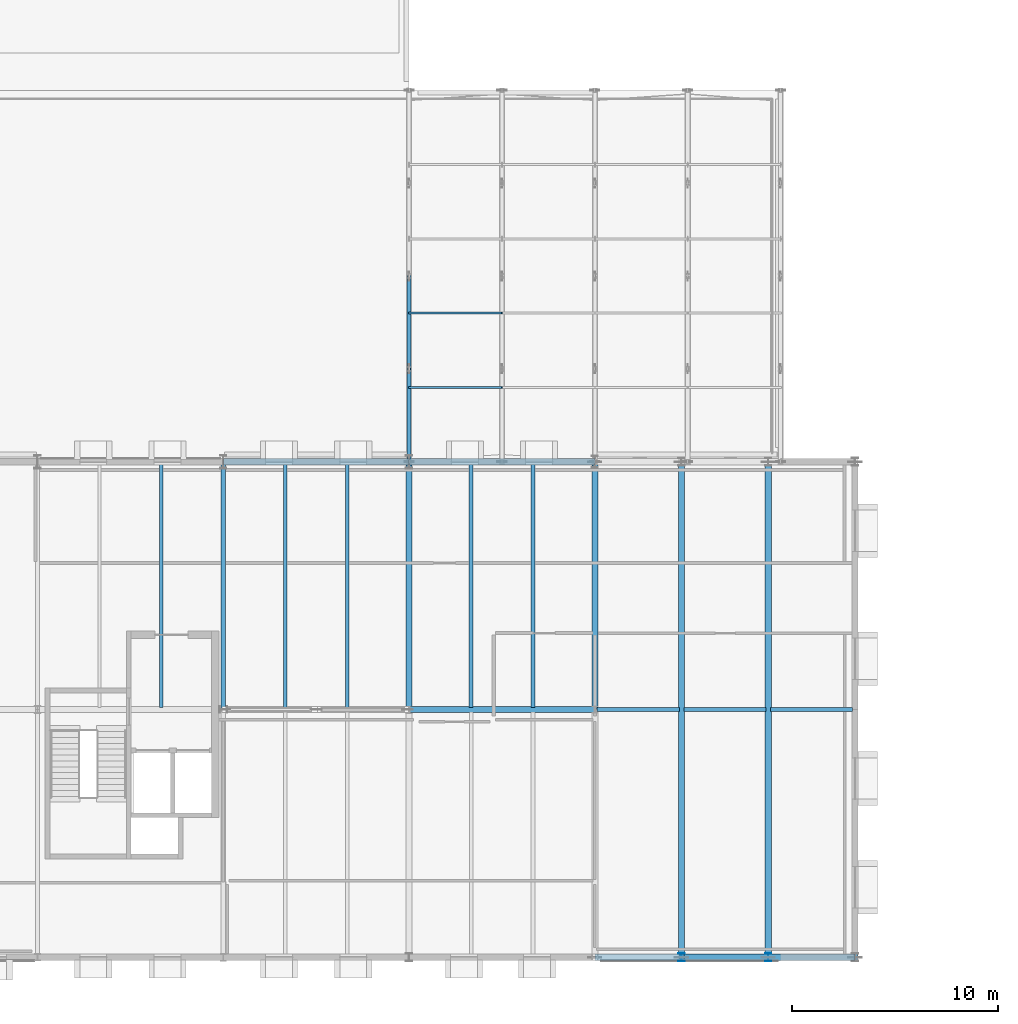
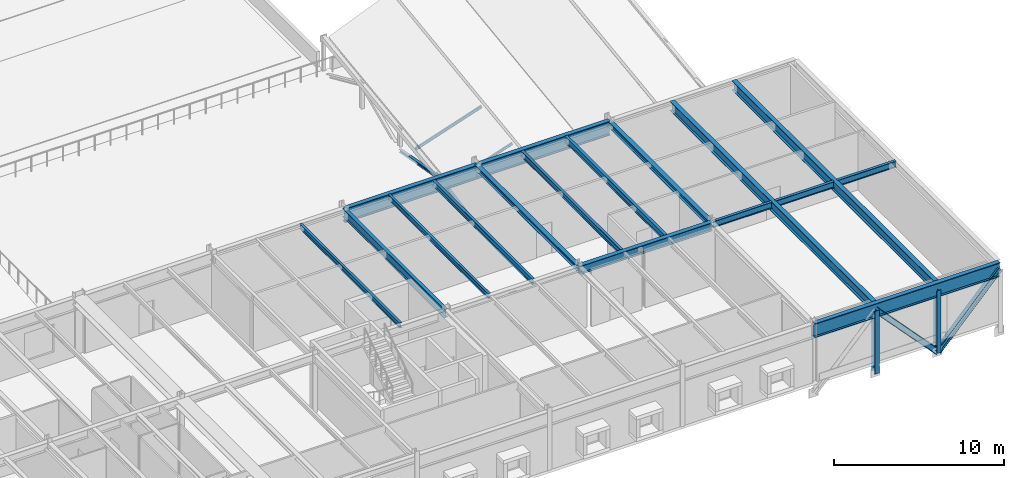
# One storey, part 46 of 142: 17 beams, 8 members.
"""IFC4 building model written with IfcOpenShell, lengths in metres."""

from ifc_helpers import new_model, si_unit, direction, frame, origin, origin_2d, place, context, subcontext, project, spatial, i_section, extrude, material, material_profile, profile_set, type_object, element, save


model = new_model("IFC4")

# Units and contexts
model_context = context("Model", 3, precision=1e-05, world=origin(), true_north=direction((0.0, 1.0)))
body_context = subcontext(model_context, "Body", "Model", "MODEL_VIEW")
ifc_project = project(units=[si_unit("LENGTHUNIT", "METRE"), si_unit("AREAUNIT", "SQUARE_METRE"), si_unit("VOLUMEUNIT", "CUBIC_METRE"), si_unit("PLANEANGLEUNIT", "RADIAN"), si_unit("MASSUNIT", "GRAM", prefix="KILO")], contexts=[model_context])

# Site, building, storey
site_placement = place(None, origin())
site = spatial("IfcSite", under=ifc_project, at=site_placement, CompositionType="ELEMENT")
building_placement = place(site_placement, origin())
building = spatial("IfcBuilding", under=site, at=building_placement, Name="Montelvaro Courts of Justice", CompositionType="ELEMENT")
storey_placement = place(building_placement, frame((0.0, 0.0, 14.39990234375)))
storey = spatial("IfcBuildingStorey", under=building, at=storey_placement, Name="L03", CompositionType="ELEMENT", Elevation=14.39990234375)

# Beams
ifc_material = material(Name="Steel S355", Category="steel")
ifc_material_profile_1 = material_profile(ifc_material, i_section(OverallWidth=0.300048828125, OverallDepth=0.35009765625, WebThickness=0.010009765625, FlangeThickness=0.017578125, at=origin_2d()), Name="HEA 360")
ifc_profile_set_1 = profile_set([ifc_material_profile_1], Name="Steel S355")
beam_type_1 = type_object("IfcBeamType", Name="Beam_HEA360", PredefinedType="USERDEFINED", material=ifc_profile_set_1)
beam_1_placement = place(storey_placement, frame((126.0, 12.0, 4.005126953125), z_axis=(0.0, 1.0, 0.0), x_axis=(-1.0, 0.0, 0.0)))
element("IfcBeam", 1, at=beam_1_placement, inside=storey, type_object=beam_type_1, Name="Beam B-16 L03", ObjectType="GIRDER", PredefinedType="USERDEFINED", context=body_context, shape_type="SweptSolid", body=[
    extrude(i_section(OverallWidth=0.300048828125, OverallDepth=0.35009765625, WebThickness=0.010009765625, FlangeThickness=0.017578125, at=origin_2d()), origin(), (0.0, 0.0, 1.0), 12.0),
])
ifc_material_profile_2 = material_profile(ifc_material, i_section(OverallWidth=0.300048828125, OverallDepth=0.389892578125, WebThickness=0.010986328125, FlangeThickness=0.01904296875, at=origin_2d()), Name="HEA 400")
ifc_profile_set_2 = profile_set([ifc_material_profile_2], Name="Steel S355")
beam_type_2 = type_object("IfcBeamType", Name="Beam_HEA400", PredefinedType="USERDEFINED", material=ifc_profile_set_2)
beam_2_placement = place(storey_placement, frame((135.0, 12.0, 3.985107421875), z_axis=(0.0, 1.0, 0.0), x_axis=(-1.0, 0.0, 0.0)))
element("IfcBeam", 2, at=beam_2_placement, inside=storey, type_object=beam_type_2, Name="Beam B-17 L03", ObjectType="GIRDER", PredefinedType="USERDEFINED", context=body_context, shape_type="SweptSolid", body=[
    extrude(i_section(OverallWidth=0.300048828125, OverallDepth=0.389892578125, WebThickness=0.010986328125, FlangeThickness=0.01904296875, at=origin_2d()), origin(), (0.0, 0.0, 1.0), 12.0),
])
ifc_material_profile_3 = material_profile(ifc_material, i_section(OverallWidth=0.300048828125, OverallDepth=0.60009765625, WebThickness=0.015380859375, FlangeThickness=0.030029296875, at=origin_2d()), Name="HEB 600")
ifc_profile_set_3 = profile_set([ifc_material_profile_3], Name="Steel S355")
beam_type_3 = type_object("IfcBeamType", Name="Beam_HEB600", PredefinedType="USERDEFINED", material=ifc_profile_set_3)
beam_3_placement = place(storey_placement, frame((126.0, 12.0, 3.880126953125), z_axis=(1.0, 0.0, 0.0), x_axis=(0.0, 1.0, 0.0)))
element("IfcBeam", 3, at=beam_3_placement, inside=storey, type_object=beam_type_3, Name="Beam B-26 L03", ObjectType="GIRDER", PredefinedType="USERDEFINED", context=body_context, shape_type="SweptSolid", body=[
    extrude(i_section(OverallWidth=0.300048828125, OverallDepth=0.60009765625, WebThickness=0.015380859375, FlangeThickness=0.030029296875, at=origin_2d()), origin(), (0.0, 0.0, 1.0), 9.0),
])
ifc_material_profile_4 = material_profile(ifc_material, i_section(OverallWidth=0.300048828125, OverallDepth=0.699951171875, WebThickness=0.01708984375, FlangeThickness=0.031982421875, at=origin_2d()), Name="HEB 700")
ifc_profile_set_4 = profile_set([ifc_material_profile_4], Name="Steel S355")
beam_type_4 = type_object("IfcBeamType", Name="Beam_HEB700", PredefinedType="USERDEFINED", material=ifc_profile_set_4)
for number, where, z_axis, x_axis, name in (
    (4, (139.199951171875, 0.110107421875, 3.830078125), (0.0, 1.0, 0.0), (-1.0, 0.0, 0.0), "Beam B-28 L03"),
    (5, (143.39990234375, 0.110107421875, 3.830078125), (0.0, 1.0, 0.0), (-1.0, 0.0, 0.0), "Beam B-28 L03"),
):
    element("IfcBeam", number, at=place(storey_placement, frame(where, z_axis=z_axis, x_axis=x_axis)), inside=storey, type_object=beam_type_4, Name=name, ObjectType="GIRDER", PredefinedType="USERDEFINED", context=body_context, shape_type="SweptSolid", body=[
        extrude(i_section(OverallWidth=0.300048828125, OverallDepth=0.699951171875, WebThickness=0.01708984375, FlangeThickness=0.031982421875, at=origin_2d()), origin(), (0.0, 0.0, 1.0), 23.77978515625),
    ])
ifc_material_profile_5 = material_profile(ifc_material, i_section(OverallWidth=0.302001953125, OverallDepth=1.008056640625, WebThickness=0.02099609375, FlangeThickness=0.0400390625, at=origin_2d()), Name="HEM 1000")
ifc_profile_set_5 = profile_set([ifc_material_profile_5], Name="Steel S355")
beam_type_5 = type_object("IfcBeamType", Name="Beam_HEM1000", PredefinedType="USERDEFINED", material=ifc_profile_set_5)
beam_4_placement = place(storey_placement, frame((135.0, 0.0, 3.676025390625), z_axis=(1.0, 0.0, 0.0), x_axis=(0.0, 1.0, 0.0)))
element("IfcBeam", 6, at=beam_4_placement, inside=storey, type_object=beam_type_5, Name="Pratt Cantilever Truss Chord CTR-BAR2-S-L04-OVH", ObjectType="GIRDER", PredefinedType="USERDEFINED", context=body_context, shape_type="SweptSolid", body=[
    extrude(i_section(OverallWidth=0.302001953125, OverallDepth=1.008056640625, WebThickness=0.02099609375, FlangeThickness=0.0400390625, at=origin_2d()), origin(), (0.0, 0.0, 1.0), 12.60009765625),
])
for number, where, z_axis, x_axis, name in (
    (7, (117.0, 24.0, 3.676025390625), (1.0, 0.0, 0.0), (0.0, 1.0, 0.0), "Pratt Cantilever Truss Chord CTR-BAR2-N-L04-BS2"),
    (8, (126.0, 24.0, 3.676025390625), (1.0, 0.0, 0.0), (0.0, 1.0, 0.0), "Pratt Cantilever Truss Chord CTR-BAR2-N-L04-BS3"),
):
    element("IfcBeam", number, at=place(storey_placement, frame(where, z_axis=z_axis, x_axis=x_axis)), inside=storey, type_object=beam_type_5, Name=name, ObjectType="GIRDER", PredefinedType="USERDEFINED", context=body_context, shape_type="SweptSolid", body=[
        extrude(i_section(OverallWidth=0.302001953125, OverallDepth=1.008056640625, WebThickness=0.02099609375, FlangeThickness=0.0400390625, at=origin_2d()), origin(), (0.0, 0.0, 1.0), 9.0),
    ])
ifc_material_profile_6 = material_profile(ifc_material, i_section(OverallWidth=0.169921875, OverallDepth=0.360107421875, WebThickness=0.008056640625, FlangeThickness=0.0126953125, at=origin_2d()), Name="IPE 360")
ifc_profile_set_6 = profile_set([ifc_material_profile_6], Name="Steel S355")
beam_type_6 = type_object("IfcBeamType", Name="Beam_IPE360", PredefinedType="BEAM", material=ifc_profile_set_6)
for number, where, z_axis, x_axis, name in (
    (9, (114.0, 12.110107421875, 4.0), (0.0, 1.0, 0.0), (-1.0, 0.0, 0.0), "Beam B-07 L03"),
    (10, (120.0, 12.110107421875, 4.0), (0.0, 1.0, 0.0), (-1.0, 0.0, 0.0), "Beam B-07 L03"),
):
    element("IfcBeam", number, at=place(storey_placement, frame(where, z_axis=z_axis, x_axis=x_axis)), inside=storey, type_object=beam_type_6, Name=name, PredefinedType="BEAM", context=body_context, shape_type="SweptSolid", body=[
        extrude(i_section(OverallWidth=0.169921875, OverallDepth=0.360107421875, WebThickness=0.008056640625, FlangeThickness=0.0126953125, at=origin_2d()), origin(), (0.0, 0.0, 1.0), 11.77978515625),
    ])
ifc_material_profile_7 = material_profile(ifc_material, i_section(OverallWidth=0.179931640625, OverallDepth=0.39990234375, WebThickness=0.008544921875, FlangeThickness=0.013427734375, at=origin_2d()), Name="IPE 400")
ifc_profile_set_7 = profile_set([ifc_material_profile_7], Name="Steel S355")
beam_type_7 = type_object("IfcBeamType", Name="Beam_IPE400", PredefinedType="BEAM", material=ifc_profile_set_7)
for number, where, z_axis, x_axis, name in (
    (11, (123.0, 12.110107421875, 3.97998046875), (0.0, 1.0, 0.0), (-1.0, 0.0, 0.0), "Beam B-08 L03"),
    (12, (129.0, 12.110107421875, 3.97998046875), (0.0, 1.0, 0.0), (-1.0, 0.0, 0.0), "Beam B-08 L03"),
):
    element("IfcBeam", number, at=place(storey_placement, frame(where, z_axis=z_axis, x_axis=x_axis)), inside=storey, type_object=beam_type_7, Name=name, PredefinedType="BEAM", context=body_context, shape_type="SweptSolid", body=[
        extrude(i_section(OverallWidth=0.179931640625, OverallDepth=0.39990234375, WebThickness=0.008544921875, FlangeThickness=0.013427734375, at=origin_2d()), origin(), (0.0, 0.0, 1.0), 11.77978515625),
    ])
ifc_material_profile_8 = material_profile(ifc_material, i_section(OverallWidth=0.18994140625, OverallDepth=0.449951171875, WebThickness=0.009521484375, FlangeThickness=0.0146484375, at=origin_2d()), Name="IPE 450")
ifc_profile_set_8 = profile_set([ifc_material_profile_8], Name="Steel S355")
beam_type_8 = type_object("IfcBeamType", Name="Beam_IPE450", PredefinedType="BEAM", material=ifc_profile_set_8)
for number, where, z_axis, x_axis, name in (
    (13, (135.110107421875, 12.0, 3.955078125), (1.0, 0.0, 0.0), (0.0, 1.0, 0.0), "Beam B-09 L03"),
    (14, (139.31005859375, 12.0, 3.955078125), (1.0, 0.0, 0.0), (0.0, 1.0, 0.0), "Beam B-09 L03"),
    (15, (143.510009765625, 12.0, 3.955078125), (1.0, 0.0, 0.0), (0.0, 1.0, 0.0), "Beam B-09 L03"),
):
    element("IfcBeam", number, at=place(storey_placement, frame(where, z_axis=z_axis, x_axis=x_axis)), inside=storey, type_object=beam_type_8, Name=name, PredefinedType="BEAM", context=body_context, shape_type="SweptSolid", body=[
        extrude(i_section(OverallWidth=0.18994140625, OverallDepth=0.449951171875, WebThickness=0.009521484375, FlangeThickness=0.0146484375, at=origin_2d()), origin(), (0.0, 0.0, 1.0), 3.97998046875),
    ])
beam_5_placement = place(storey_placement, frame((132.0, 12.110107421875, 3.955078125), z_axis=(0.0, 1.0, 0.0), x_axis=(-1.0, 0.0, 0.0)))
element("IfcBeam", 16, at=beam_5_placement, inside=storey, type_object=beam_type_8, Name="Beam B-09 L03", PredefinedType="BEAM", context=body_context, shape_type="SweptSolid", body=[
    extrude(i_section(OverallWidth=0.18994140625, OverallDepth=0.449951171875, WebThickness=0.009521484375, FlangeThickness=0.0146484375, at=origin_2d()), origin(), (0.0, 0.0, 1.0), 11.77978515625),
])
ifc_material_profile_9 = material_profile(ifc_material, i_section(OverallWidth=0.219970703125, OverallDepth=0.60009765625, WebThickness=0.011962890625, FlangeThickness=0.01904296875, at=origin_2d()), Name="IPE 600")
ifc_profile_set_9 = profile_set([ifc_material_profile_9], Name="Steel S355")
beam_type_9 = type_object("IfcBeamType", Name="Beam_IPE600", PredefinedType="USERDEFINED", material=ifc_profile_set_9)
beam_6_placement = place(storey_placement, frame((117.0, 12.0, 3.880126953125), z_axis=(0.0, 1.0, 0.0), x_axis=(-1.0, 0.0, 0.0)))
element("IfcBeam", 17, at=beam_6_placement, inside=storey, type_object=beam_type_9, Name="Beam B-12 L03", ObjectType="GIRDER", PredefinedType="USERDEFINED", context=body_context, shape_type="SweptSolid", body=[
    extrude(i_section(OverallWidth=0.219970703125, OverallDepth=0.60009765625, WebThickness=0.011962890625, FlangeThickness=0.01904296875, at=origin_2d()), origin(), (0.0, 0.0, 1.0), 12.0),
])

# Members
ifc_material_profile_10 = material_profile(ifc_material, i_section(OverallWidth=0.199951171875, OverallDepth=0.18994140625, WebThickness=0.006591796875, FlangeThickness=0.010009765625, at=origin_2d()), Name="HEA 200")
ifc_profile_set_10 = profile_set([ifc_material_profile_10], Name="Steel S355")
member_type_1 = type_object("IfcMemberType", Name="Mem_HEA200_Brace", PredefinedType="BRACE", material=ifc_profile_set_10)
for number, where, z_axis, x_axis, name in (
    (18, (126.0, 24.0, -0.2998046875), (0.0, 0.984190398487, 0.17711369096), (-1.0, 0.0, 0.0), "Roof Truss Web MB-02 ROOF-V4E-VTR01-W1"),
    (19, (126.0, 28.5, 0.510009765625), (0.0, 0.984190398487, -0.17711369096), (-1.0, 0.0, 0.0), "Roof Truss Web MB-02 ROOF-V4E-VTR01-W2"),
):
    element("IfcMember", number, at=place(storey_placement, frame(where, z_axis=z_axis, x_axis=x_axis)), inside=storey, type_object=member_type_1, Name=name, PredefinedType="BRACE", context=body_context, shape_type="SweptSolid", body=[
        extrude(i_section(OverallWidth=0.199951171875, OverallDepth=0.18994140625, WebThickness=0.006591796875, FlangeThickness=0.010009765625, at=origin_2d()), origin(), (0.0, 0.0, 1.0), 4.572265625),
    ])
ifc_material_profile_11 = material_profile(ifc_material, i_section(OverallWidth=0.300048828125, OverallDepth=0.360107421875, WebThickness=0.012451171875, FlangeThickness=0.0224609375, at=origin_2d()), Name="HEB 360")
ifc_profile_set_11 = profile_set([ifc_material_profile_11], Name="Steel S355")
member_type_2 = type_object("IfcMemberType", Name="Mem_HEB360_Brace", PredefinedType="BRACE", material=ifc_profile_set_11)
for number, where, z_axis, x_axis, name in (
    (20, (139.199951171875, 0.0, 3.676025390625), (0.682314010889, 0.0, -0.73105922506), (0.0, 1.0, 0.0), "Pratt Cantilever Truss Diagonal MB-01 CTR-BAR2-S-L03-D5"),
    (21, (143.39990234375, 0.0, -0.823974609375), (0.682335207557, 0.0, 0.731039441158), (0.0, 1.0, 0.0), "Pratt Cantilever Truss Diagonal MB-01 CTR-BAR2-S-L03-D6"),
):
    element("IfcMember", number, at=place(storey_placement, frame(where, z_axis=z_axis, x_axis=x_axis)), inside=storey, type_object=member_type_2, Name=name, PredefinedType="BRACE", context=body_context, shape_type="SweptSolid", body=[
        extrude(i_section(OverallWidth=0.300048828125, OverallDepth=0.360107421875, WebThickness=0.012451171875, FlangeThickness=0.0224609375, at=origin_2d()), origin(), (0.0, 0.0, 1.0), 6.155517578125),
    ])
ifc_material_profile_12 = material_profile(ifc_material, i_section(OverallWidth=0.300048828125, OverallDepth=0.39990234375, WebThickness=0.013427734375, FlangeThickness=0.02392578125, at=origin_2d()), Name="HEB 400")
ifc_profile_set_12 = profile_set([ifc_material_profile_12], Name="Steel S355")
member_type_3 = type_object("IfcMemberType", Name="Mem_HEB400_Post", PredefinedType="POST", material=ifc_profile_set_12)
for number, where, z_axis, x_axis, name in (
    (22, (139.199951171875, 0.0, -0.823974609375), (0.0, 0.0, 1.0), (1.0, 0.0, 0.0), "Pratt Cantilever Truss Post MP-01 CTR-BAR2-S-L03-1"),
    (23, (143.39990234375, 0.0, -0.823974609375), (0.0, 0.0, 1.0), (1.0, 0.0, 0.0), "Pratt Cantilever Truss Post MP-01 CTR-BAR2-S-L03-2"),
):
    element("IfcMember", number, at=place(storey_placement, frame(where, z_axis=z_axis, x_axis=x_axis)), inside=storey, type_object=member_type_3, Name=name, PredefinedType="POST", context=body_context, shape_type="SweptSolid", body=[
        extrude(i_section(OverallWidth=0.300048828125, OverallDepth=0.39990234375, WebThickness=0.013427734375, FlangeThickness=0.02392578125, at=origin_2d()), origin(), (0.0, 0.0, 1.0), 4.5),
    ])
ifc_material_profile_13 = material_profile(ifc_material, i_section(OverallWidth=0.091064453125, OverallDepth=0.179931640625, WebThickness=0.00537109375, FlangeThickness=0.008056640625, at=origin_2d()), Name="IPE 180")
ifc_profile_set_13 = profile_set([ifc_material_profile_13], Name="Steel S355")
member_type_4 = type_object("IfcMemberType", Name="Mem_IPE180_Purlin", PredefinedType="PURLIN", material=ifc_profile_set_13)
member_1_placement = place(storey_placement, frame((126.0, 27.60009765625, 0.39013671875), z_axis=(0.948683298051, 0.0, 0.316227766017), x_axis=(0.0, 1.0, 0.0)))
element("IfcMember", 24, at=member_1_placement, inside=storey, type_object=member_type_4, Name="Roof Purlin MR-01 ROOF-V4E-PRL-01-1L", PredefinedType="PURLIN", context=body_context, shape_type="SweptSolid", body=[
    extrude(i_section(OverallWidth=0.091064453125, OverallDepth=0.179931640625, WebThickness=0.00537109375, FlangeThickness=0.008056640625, at=origin_2d()), origin(), (0.0, 0.0, 1.0), 4.743408203125),
])
ifc_material_profile_14 = material_profile(ifc_material, i_section(OverallWidth=0.10009765625, OverallDepth=0.199951171875, WebThickness=0.005615234375, FlangeThickness=0.008544921875, at=origin_2d()), Name="IPE 200")
ifc_profile_set_14 = profile_set([ifc_material_profile_14], Name="Steel S355")
member_type_5 = type_object("IfcMemberType", Name="Mem_IPE200_Purlin", PredefinedType="PURLIN", material=ifc_profile_set_14)
member_2_placement = place(storey_placement, frame((126.0, 31.199951171875, 0.8701171875), z_axis=(0.948683298051, 0.0, 0.316227766017), x_axis=(0.0, 1.0, 0.0)))
element("IfcMember", 25, at=member_2_placement, inside=storey, type_object=member_type_5, Name="Roof Purlin MR-02 ROOF-V4E-PRL-01-2L", PredefinedType="PURLIN", context=body_context, shape_type="SweptSolid", body=[
    extrude(i_section(OverallWidth=0.10009765625, OverallDepth=0.199951171875, WebThickness=0.005615234375, FlangeThickness=0.008544921875, at=origin_2d()), origin(), (0.0, 0.0, 1.0), 4.743408203125),
])

save(model, "model.ifc")
